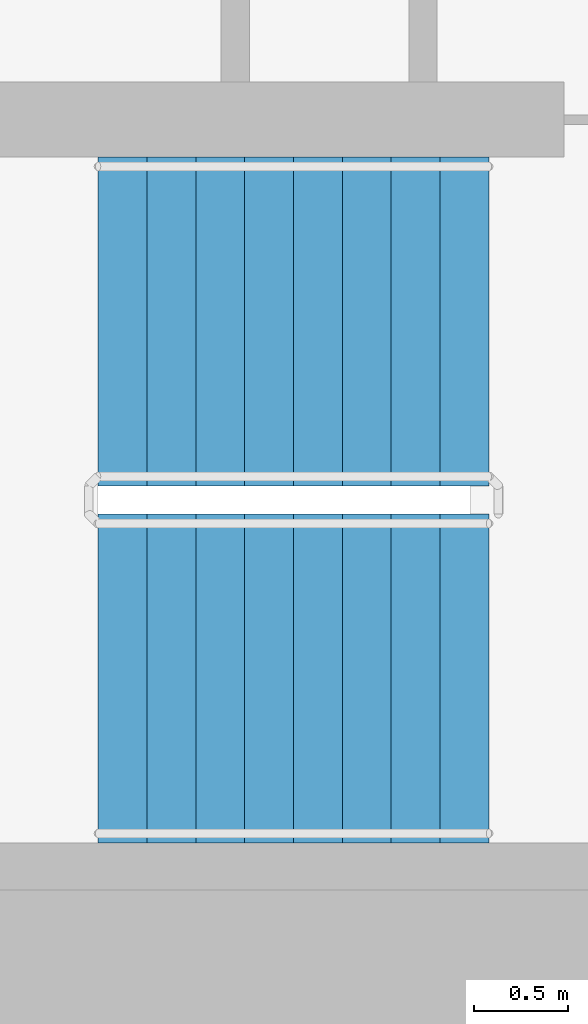
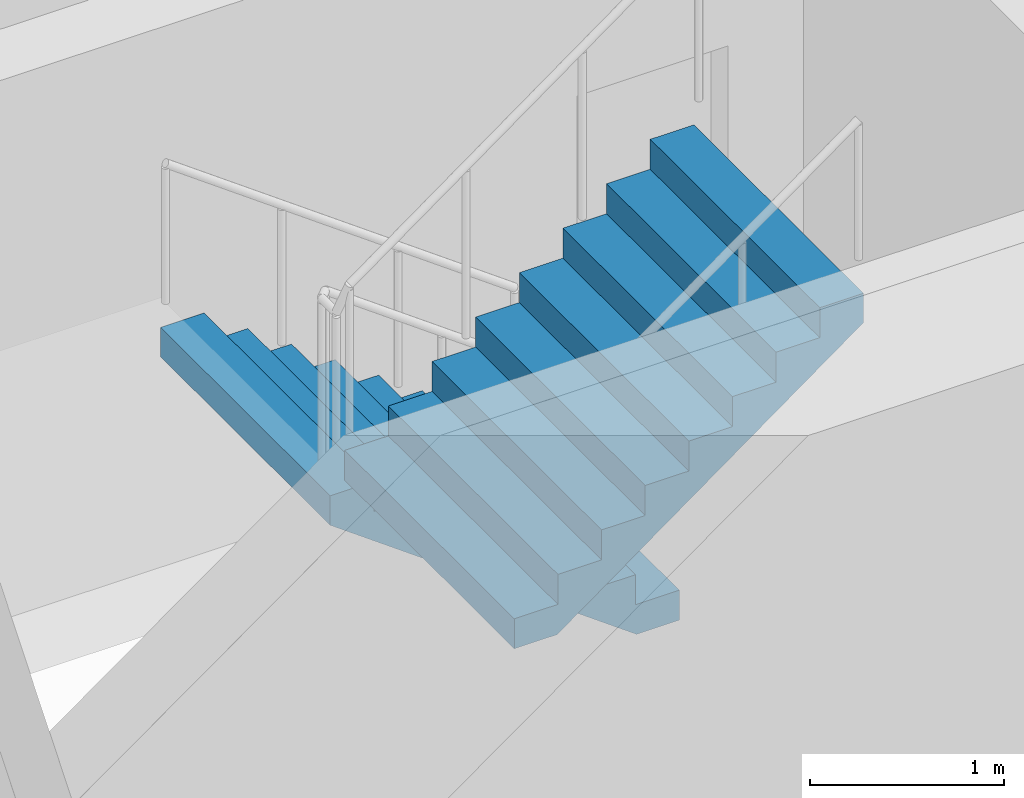
# One storey, part 16 of 22: 2 stair flights, 1 element without a shape of its own.
"""IFC4 building model written with IfcOpenShell, lengths in metres."""

from ifc_helpers import new_model, si_unit, direction, frame, origin, place, context, subcontext, project, spatial, faceted_brep, material, type_object, element, aggregate, save


model = new_model("IFC4")

# Units and contexts
model_context = context("Model", 3, precision=1e-05, world=origin(), true_north=direction((0.0, 1.0)))
body_context = subcontext(model_context, "Body", "Model", "MODEL_VIEW")
ifc_project = project(units=[si_unit("LENGTHUNIT", "METRE"), si_unit("AREAUNIT", "SQUARE_METRE"), si_unit("VOLUMEUNIT", "CUBIC_METRE"), si_unit("PLANEANGLEUNIT", "RADIAN"), si_unit("MASSUNIT", "GRAM", prefix="KILO")], contexts=[model_context])

# Site, building, storey
site_placement = place(None, origin())
site = spatial("IfcSite", under=ifc_project, at=site_placement, CompositionType="ELEMENT")
building_placement = place(site_placement, origin())
building = spatial("IfcBuilding", under=site, at=building_placement, Name="Ipe Terrace Towers", CompositionType="ELEMENT")
storey_placement = place(building_placement, frame((0.0, 0.0, 90.199951171875)))
storey = spatial("IfcBuildingStorey", under=building, at=storey_placement, Name="L24", CompositionType="ELEMENT", Elevation=90.199951171875)

# Stair, stair flights
ifc_material_1 = material(Name="Concrete C30/37", Category="concrete")
stair_type = type_object("IfcStairType", Name="Protected exit stair", PredefinedType="HALF_TURN_STAIR", material=ifc_material_1)
stair_placement = place(storey_placement, origin())
stair = element("IfcStair", 1, at=stair_placement, inside=storey, type_object=stair_type, Name="L24 Exit stair T1-C2", PredefinedType="HALF_TURN_STAIR")
ifc_material_2 = material(Name="Concrete C30/37", Category="concrete")
stair_flight_type = type_object("IfcStairFlightType", Name="Exit stair flight 1750", PredefinedType="STRAIGHT", material=ifc_material_2)
stair_flight_1_placement = place(storey_placement, frame((-45.699951171875, -2.77490234375, 0.0), z_axis=(0.0, 0.0, 1.0), x_axis=(-1.0, 0.0, 0.0)))
stair_flight_1 = element("IfcStairFlight", 2, at=stair_flight_1_placement, type_object=stair_flight_type, Name="T1-ST2 flight 1", NumberOfRisers=9, NumberOfTreads=8, PredefinedType="STRAIGHT", RiserHeight=0.188888889, TreadLength=0.26, context=body_context, shape_type="Brep", body=[
    faceted_brep([(0.255126953125, -0.875, 0.0), (2.080078125, -0.875, 1.325927734375), (2.080078125, -0.875, 1.51123046875), (1.820068359375, -0.875, 1.51123046875), (1.820068359375, -0.875, 1.322265625), (1.56005859375, -0.875, 1.322265625), (1.56005859375, -0.875, 1.13330078125), (1.300048828125, -0.875, 1.13330078125), (1.300048828125, -0.875, 0.9443359375), (1.0400390625, -0.875, 0.9443359375), (1.0400390625, -0.875, 0.755615234375), (0.780029296875, -0.875, 0.755615234375), (0.780029296875, -0.875, 0.566650390625), (0.52001953125, -0.875, 0.566650390625), (0.52001953125, -0.875, 0.377685546875), (0.260009765625, -0.875, 0.377685546875), (0.260009765625, -0.875, 0.18896484375), (0.0, -0.875, 0.18896484375), (0.0, -0.875, 0.0), (0.0, 0.875, 0.0), (0.0, 0.875, 0.18896484375), (0.260009765625, 0.875, 0.18896484375), (0.260009765625, 0.875, 0.377685546875), (0.52001953125, 0.875, 0.377685546875), (0.52001953125, 0.875, 0.566650390625), (0.780029296875, 0.875, 0.566650390625), (0.780029296875, 0.875, 0.755615234375), (1.0400390625, 0.875, 0.755615234375), (1.0400390625, 0.875, 0.9443359375), (1.300048828125, 0.875, 0.9443359375), (1.300048828125, 0.875, 1.13330078125), (1.56005859375, 0.875, 1.13330078125), (1.56005859375, 0.875, 1.322265625), (1.820068359375, 0.875, 1.322265625), (1.820068359375, 0.875, 1.51123046875), (2.080078125, 0.875, 1.51123046875), (2.080078125, 0.875, 1.325927734375), (0.255126953125, 0.875, 0.0), (0.0, -0.300048828125, 0.18896484375), (0.0, -0.1201171875, 0.18896484375), (0.0, -0.06005859375, 0.18896484375), (0.0, -0.030029296875, 0.18896484375), (0.0, -0.010009765625, 0.18896484375), (0.0, 0.0, 0.18896484375), (0.0, 0.010009765625, 0.18896484375), (0.0, 0.030029296875, 0.18896484375), (0.0, 0.06005859375, 0.18896484375), (0.0, 0.1201171875, 0.18896484375), (0.0, 0.300048828125, 0.18896484375), (0.0, 0.300048828125, 0.0), (0.0, 0.1201171875, 0.0), (0.0, 0.06005859375, 0.0), (0.0, 0.030029296875, 0.0), (0.0, 0.010009765625, 0.0), (0.0, 0.0, 0.0), (0.0, -0.010009765625, 0.0), (0.0, -0.030029296875, 0.0), (0.0, -0.06005859375, 0.0), (0.0, -0.1201171875, 0.0), (0.0, -0.300048828125, 0.0), (0.260009765625, -0.300048828125, 0.18896484375), (0.260009765625, -0.1201171875, 0.18896484375), (0.260009765625, -0.06005859375, 0.18896484375), (0.260009765625, -0.030029296875, 0.18896484375), (0.260009765625, -0.010009765625, 0.18896484375), (0.260009765625, 0.0, 0.18896484375), (0.260009765625, 0.010009765625, 0.18896484375), (0.260009765625, 0.030029296875, 0.18896484375), (0.260009765625, 0.06005859375, 0.18896484375), (0.260009765625, 0.1201171875, 0.18896484375), (0.260009765625, 0.300048828125, 0.18896484375), (0.260009765625, -0.300048828125, 0.377685546875), (0.260009765625, -0.1201171875, 0.377685546875), (0.260009765625, -0.06005859375, 0.377685546875), (0.260009765625, -0.030029296875, 0.377685546875), (0.260009765625, -0.010009765625, 0.377685546875), (0.260009765625, 0.0, 0.377685546875), (0.260009765625, 0.010009765625, 0.377685546875), (0.260009765625, 0.030029296875, 0.377685546875), (0.260009765625, 0.06005859375, 0.377685546875), (0.260009765625, 0.1201171875, 0.377685546875), (0.260009765625, 0.300048828125, 0.377685546875), (0.52001953125, -0.300048828125, 0.377685546875), (0.52001953125, -0.1201171875, 0.377685546875), (0.52001953125, -0.06005859375, 0.377685546875), (0.52001953125, -0.030029296875, 0.377685546875), (0.52001953125, -0.010009765625, 0.377685546875), (0.52001953125, 0.0, 0.377685546875), (0.52001953125, 0.010009765625, 0.377685546875), (0.52001953125, 0.030029296875, 0.377685546875), (0.52001953125, 0.06005859375, 0.377685546875), (0.52001953125, 0.1201171875, 0.377685546875), (0.52001953125, 0.300048828125, 0.377685546875), (0.52001953125, -0.300048828125, 0.566650390625), (0.52001953125, -0.1201171875, 0.566650390625), (0.52001953125, -0.06005859375, 0.566650390625), (0.52001953125, -0.030029296875, 0.566650390625), (0.52001953125, -0.010009765625, 0.566650390625), (0.52001953125, 0.0, 0.566650390625), (0.52001953125, 0.010009765625, 0.566650390625), (0.52001953125, 0.030029296875, 0.566650390625), (0.52001953125, 0.06005859375, 0.566650390625), (0.52001953125, 0.1201171875, 0.566650390625), (0.52001953125, 0.300048828125, 0.566650390625), (0.780029296875, -0.300048828125, 0.566650390625), (0.780029296875, -0.1201171875, 0.566650390625), (0.780029296875, -0.06005859375, 0.566650390625), (0.780029296875, -0.030029296875, 0.566650390625), (0.780029296875, -0.010009765625, 0.566650390625), (0.780029296875, 0.0, 0.566650390625), (0.780029296875, 0.010009765625, 0.566650390625), (0.780029296875, 0.030029296875, 0.566650390625), (0.780029296875, 0.06005859375, 0.566650390625), (0.780029296875, 0.1201171875, 0.566650390625), (0.780029296875, 0.300048828125, 0.566650390625), (0.780029296875, -0.300048828125, 0.755615234375), (0.780029296875, -0.1201171875, 0.755615234375), (0.780029296875, -0.06005859375, 0.755615234375), (0.780029296875, -0.030029296875, 0.755615234375), (0.780029296875, -0.010009765625, 0.755615234375), (0.780029296875, 0.0, 0.755615234375), (0.780029296875, 0.010009765625, 0.755615234375), (0.780029296875, 0.030029296875, 0.755615234375), (0.780029296875, 0.06005859375, 0.755615234375), (0.780029296875, 0.1201171875, 0.755615234375), (0.780029296875, 0.300048828125, 0.755615234375), (1.0400390625, -0.300048828125, 0.755615234375), (1.0400390625, -0.1201171875, 0.755615234375), (1.0400390625, -0.06005859375, 0.755615234375), (1.0400390625, -0.030029296875, 0.755615234375), (1.0400390625, -0.010009765625, 0.755615234375), (1.0400390625, 0.0, 0.755615234375), (1.0400390625, 0.010009765625, 0.755615234375), (1.0400390625, 0.030029296875, 0.755615234375), (1.0400390625, 0.06005859375, 0.755615234375), (1.0400390625, 0.1201171875, 0.755615234375), (1.0400390625, 0.300048828125, 0.755615234375), (1.0400390625, -0.300048828125, 0.9443359375), (1.0400390625, -0.1201171875, 0.9443359375), (1.0400390625, -0.06005859375, 0.9443359375), (1.0400390625, -0.030029296875, 0.9443359375), (1.0400390625, -0.010009765625, 0.9443359375), (1.0400390625, 0.0, 0.9443359375), (1.0400390625, 0.010009765625, 0.9443359375), (1.0400390625, 0.030029296875, 0.9443359375), (1.0400390625, 0.06005859375, 0.9443359375), (1.0400390625, 0.1201171875, 0.9443359375), (1.0400390625, 0.300048828125, 0.9443359375), (1.300048828125, -0.300048828125, 0.9443359375), (1.300048828125, -0.1201171875, 0.9443359375), (1.300048828125, -0.06005859375, 0.9443359375), (1.300048828125, -0.030029296875, 0.9443359375), (1.300048828125, -0.010009765625, 0.9443359375), (1.300048828125, 0.0, 0.9443359375), (1.300048828125, 0.010009765625, 0.9443359375), (1.300048828125, 0.030029296875, 0.9443359375), (1.300048828125, 0.06005859375, 0.9443359375), (1.300048828125, 0.1201171875, 0.9443359375), (1.300048828125, 0.300048828125, 0.9443359375), (1.300048828125, -0.300048828125, 1.13330078125), (1.300048828125, -0.1201171875, 1.13330078125), (1.300048828125, -0.06005859375, 1.13330078125), (1.300048828125, -0.030029296875, 1.13330078125), (1.300048828125, -0.010009765625, 1.13330078125), (1.300048828125, 0.0, 1.13330078125), (1.300048828125, 0.010009765625, 1.13330078125), (1.300048828125, 0.030029296875, 1.13330078125), (1.300048828125, 0.06005859375, 1.13330078125), (1.300048828125, 0.1201171875, 1.13330078125), (1.300048828125, 0.300048828125, 1.13330078125), (1.56005859375, -0.300048828125, 1.13330078125), (1.56005859375, -0.1201171875, 1.13330078125), (1.56005859375, -0.06005859375, 1.13330078125), (1.56005859375, -0.030029296875, 1.13330078125), (1.56005859375, -0.010009765625, 1.13330078125), (1.56005859375, 0.0, 1.13330078125), (1.56005859375, 0.010009765625, 1.13330078125), (1.56005859375, 0.030029296875, 1.13330078125), (1.56005859375, 0.06005859375, 1.13330078125), (1.56005859375, 0.1201171875, 1.13330078125), (1.56005859375, 0.300048828125, 1.13330078125), (1.56005859375, -0.300048828125, 1.322265625), (1.56005859375, -0.1201171875, 1.322265625), (1.56005859375, -0.06005859375, 1.322265625), (1.56005859375, -0.030029296875, 1.322265625), (1.56005859375, -0.010009765625, 1.322265625), (1.56005859375, 0.0, 1.322265625), (1.56005859375, 0.010009765625, 1.322265625), (1.56005859375, 0.030029296875, 1.322265625), (1.56005859375, 0.06005859375, 1.322265625), (1.56005859375, 0.1201171875, 1.322265625), (1.56005859375, 0.300048828125, 1.322265625), (1.820068359375, -0.300048828125, 1.322265625), (1.820068359375, -0.1201171875, 1.322265625), (1.820068359375, -0.06005859375, 1.322265625), (1.820068359375, -0.030029296875, 1.322265625), (1.820068359375, -0.010009765625, 1.322265625), (1.820068359375, 0.0, 1.322265625), (1.820068359375, 0.010009765625, 1.322265625), (1.820068359375, 0.030029296875, 1.322265625), (1.820068359375, 0.06005859375, 1.322265625), (1.820068359375, 0.1201171875, 1.322265625), (1.820068359375, 0.300048828125, 1.322265625), (1.820068359375, -0.300048828125, 1.51123046875), (1.820068359375, -0.1201171875, 1.51123046875), (1.820068359375, -0.06005859375, 1.51123046875), (1.820068359375, -0.030029296875, 1.51123046875), (1.820068359375, -0.010009765625, 1.51123046875), (1.820068359375, 0.0, 1.51123046875), (1.820068359375, 0.010009765625, 1.51123046875), (1.820068359375, 0.030029296875, 1.51123046875), (1.820068359375, 0.06005859375, 1.51123046875), (1.820068359375, 0.1201171875, 1.51123046875), (1.820068359375, 0.300048828125, 1.51123046875), (2.080078125, -0.300048828125, 1.51123046875), (2.080078125, -0.1201171875, 1.51123046875), (2.080078125, -0.06005859375, 1.51123046875), (2.080078125, -0.030029296875, 1.51123046875), (2.080078125, -0.010009765625, 1.51123046875), (2.080078125, 0.0, 1.51123046875), (2.080078125, 0.010009765625, 1.51123046875), (2.080078125, 0.030029296875, 1.51123046875), (2.080078125, 0.06005859375, 1.51123046875), (2.080078125, 0.1201171875, 1.51123046875), (2.080078125, 0.300048828125, 1.51123046875), (2.080078125, -0.300048828125, 1.325927734375), (2.080078125, -0.1201171875, 1.325927734375), (2.080078125, -0.06005859375, 1.325927734375), (2.080078125, -0.030029296875, 1.325927734375), (2.080078125, -0.010009765625, 1.325927734375), (2.080078125, 0.0, 1.325927734375), (2.080078125, 0.010009765625, 1.325927734375), (2.080078125, 0.030029296875, 1.325927734375), (2.080078125, 0.06005859375, 1.325927734375), (2.080078125, 0.1201171875, 1.325927734375), (2.080078125, 0.300048828125, 1.325927734375), (0.255126953125, -0.300048828125, 0.0), (0.255126953125, -0.1201171875, 0.0), (0.255126953125, -0.06005859375, 0.0), (0.255126953125, -0.030029296875, 0.0), (0.255126953125, -0.010009765625, 0.0), (0.255126953125, 0.0, 0.0), (0.255126953125, 0.010009765625, 0.0), (0.255126953125, 0.030029296875, 0.0), (0.255126953125, 0.06005859375, 0.0), (0.255126953125, 0.1201171875, 0.0), (0.255126953125, 0.300048828125, 0.0)], [[[0, 1, 2, 3, 4, 5, 6, 7, 8, 9, 10, 11, 12, 13, 14, 15, 16, 17, 18]], [[19, 20, 21, 22, 23, 24, 25, 26, 27, 28, 29, 30, 31, 32, 33, 34, 35, 36, 37]], [[17, 38, 39, 40, 41, 42, 43, 44, 45, 46, 47, 48, 20, 19, 49, 50, 51, 52, 53, 54, 55, 56, 57, 58, 59, 18]], [[16, 60, 61, 62, 63, 64, 65, 66, 67, 68, 69, 70, 21, 20, 48, 47, 46, 45, 44, 43, 42, 41, 40, 39, 38, 17]], [[15, 71, 72, 73, 74, 75, 76, 77, 78, 79, 80, 81, 22, 21, 70, 69, 68, 67, 66, 65, 64, 63, 62, 61, 60, 16]], [[14, 82, 83, 84, 85, 86, 87, 88, 89, 90, 91, 92, 23, 22, 81, 80, 79, 78, 77, 76, 75, 74, 73, 72, 71, 15]], [[13, 93, 94, 95, 96, 97, 98, 99, 100, 101, 102, 103, 24, 23, 92, 91, 90, 89, 88, 87, 86, 85, 84, 83, 82, 14]], [[12, 104, 105, 106, 107, 108, 109, 110, 111, 112, 113, 114, 25, 24, 103, 102, 101, 100, 99, 98, 97, 96, 95, 94, 93, 13]], [[11, 115, 116, 117, 118, 119, 120, 121, 122, 123, 124, 125, 26, 25, 114, 113, 112, 111, 110, 109, 108, 107, 106, 105, 104, 12]], [[10, 126, 127, 128, 129, 130, 131, 132, 133, 134, 135, 136, 27, 26, 125, 124, 123, 122, 121, 120, 119, 118, 117, 116, 115, 11]], [[9, 137, 138, 139, 140, 141, 142, 143, 144, 145, 146, 147, 28, 27, 136, 135, 134, 133, 132, 131, 130, 129, 128, 127, 126, 10]], [[8, 148, 149, 150, 151, 152, 153, 154, 155, 156, 157, 158, 29, 28, 147, 146, 145, 144, 143, 142, 141, 140, 139, 138, 137, 9]], [[7, 159, 160, 161, 162, 163, 164, 165, 166, 167, 168, 169, 30, 29, 158, 157, 156, 155, 154, 153, 152, 151, 150, 149, 148, 8]], [[6, 170, 171, 172, 173, 174, 175, 176, 177, 178, 179, 180, 31, 30, 169, 168, 167, 166, 165, 164, 163, 162, 161, 160, 159, 7]], [[5, 181, 182, 183, 184, 185, 186, 187, 188, 189, 190, 191, 32, 31, 180, 179, 178, 177, 176, 175, 174, 173, 172, 171, 170, 6]], [[4, 192, 193, 194, 195, 196, 197, 198, 199, 200, 201, 202, 33, 32, 191, 190, 189, 188, 187, 186, 185, 184, 183, 182, 181, 5]], [[3, 203, 204, 205, 206, 207, 208, 209, 210, 211, 212, 213, 34, 33, 202, 201, 200, 199, 198, 197, 196, 195, 194, 193, 192, 4]], [[2, 214, 215, 216, 217, 218, 219, 220, 221, 222, 223, 224, 35, 34, 213, 212, 211, 210, 209, 208, 207, 206, 205, 204, 203, 3]], [[1, 225, 226, 227, 228, 229, 230, 231, 232, 233, 234, 235, 36, 35, 224, 223, 222, 221, 220, 219, 218, 217, 216, 215, 214, 2]], [[0, 236, 237, 238, 239, 240, 241, 242, 243, 244, 245, 246, 37, 36, 235, 234, 233, 232, 231, 230, 229, 228, 227, 226, 225, 1]], [[18, 59, 58, 57, 56, 55, 54, 53, 52, 51, 50, 49, 19, 37, 246, 245, 244, 243, 242, 241, 240, 239, 238, 237, 236, 0]]]),
])
stair_flight_2_placement = place(storey_placement, frame((-47.780029296875, -4.675048828125, 1.699951171875), z_axis=(0.0, 0.0, 1.0), x_axis=(1.0, 0.0, 0.0)))
stair_flight_2 = element("IfcStairFlight", 3, at=stair_flight_2_placement, type_object=stair_flight_type, Name="T1-ST2 flight 2", NumberOfRisers=9, NumberOfTreads=8, PredefinedType="STRAIGHT", RiserHeight=0.188888889, TreadLength=0.26, context=body_context, shape_type="Brep", body=[
    faceted_brep([(0.255126953125, -0.875, 0.0), (2.080078125, -0.875, 1.325927734375), (2.080078125, -0.875, 1.51123046875), (1.820068359375, -0.875, 1.51123046875), (1.820068359375, -0.875, 1.322265625), (1.56005859375, -0.875, 1.322265625), (1.56005859375, -0.875, 1.13330078125), (1.300048828125, -0.875, 1.13330078125), (1.300048828125, -0.875, 0.9443359375), (1.0400390625, -0.875, 0.9443359375), (1.0400390625, -0.875, 0.755615234375), (0.780029296875, -0.875, 0.755615234375), (0.780029296875, -0.875, 0.566650390625), (0.52001953125, -0.875, 0.566650390625), (0.52001953125, -0.875, 0.377685546875), (0.260009765625, -0.875, 0.377685546875), (0.260009765625, -0.875, 0.18896484375), (0.0, -0.875, 0.18896484375), (0.0, -0.875, 0.0), (0.0, 0.875, 0.0), (0.0, 0.875, 0.18896484375), (0.260009765625, 0.875, 0.18896484375), (0.260009765625, 0.875, 0.377685546875), (0.52001953125, 0.875, 0.377685546875), (0.52001953125, 0.875, 0.566650390625), (0.780029296875, 0.875, 0.566650390625), (0.780029296875, 0.875, 0.755615234375), (1.0400390625, 0.875, 0.755615234375), (1.0400390625, 0.875, 0.9443359375), (1.300048828125, 0.875, 0.9443359375), (1.300048828125, 0.875, 1.13330078125), (1.56005859375, 0.875, 1.13330078125), (1.56005859375, 0.875, 1.322265625), (1.820068359375, 0.875, 1.322265625), (1.820068359375, 0.875, 1.51123046875), (2.080078125, 0.875, 1.51123046875), (2.080078125, 0.875, 1.325927734375), (0.255126953125, 0.875, 0.0), (0.0, -0.300048828125, 0.18896484375), (0.0, -0.1201171875, 0.18896484375), (0.0, -0.06005859375, 0.18896484375), (0.0, -0.030029296875, 0.18896484375), (0.0, -0.010009765625, 0.18896484375), (0.0, 0.0, 0.18896484375), (0.0, 0.010009765625, 0.18896484375), (0.0, 0.030029296875, 0.18896484375), (0.0, 0.06005859375, 0.18896484375), (0.0, 0.1201171875, 0.18896484375), (0.0, 0.300048828125, 0.18896484375), (0.0, 0.300048828125, 0.0), (0.0, 0.1201171875, 0.0), (0.0, 0.06005859375, 0.0), (0.0, 0.030029296875, 0.0), (0.0, 0.010009765625, 0.0), (0.0, 0.0, 0.0), (0.0, -0.010009765625, 0.0), (0.0, -0.030029296875, 0.0), (0.0, -0.06005859375, 0.0), (0.0, -0.1201171875, 0.0), (0.0, -0.300048828125, 0.0), (0.260009765625, -0.300048828125, 0.18896484375), (0.260009765625, -0.1201171875, 0.18896484375), (0.260009765625, -0.06005859375, 0.18896484375), (0.260009765625, -0.030029296875, 0.18896484375), (0.260009765625, -0.010009765625, 0.18896484375), (0.260009765625, 0.0, 0.18896484375), (0.260009765625, 0.010009765625, 0.18896484375), (0.260009765625, 0.030029296875, 0.18896484375), (0.260009765625, 0.06005859375, 0.18896484375), (0.260009765625, 0.1201171875, 0.18896484375), (0.260009765625, 0.300048828125, 0.18896484375), (0.260009765625, -0.300048828125, 0.377685546875), (0.260009765625, -0.1201171875, 0.377685546875), (0.260009765625, -0.06005859375, 0.377685546875), (0.260009765625, -0.030029296875, 0.377685546875), (0.260009765625, -0.010009765625, 0.377685546875), (0.260009765625, 0.0, 0.377685546875), (0.260009765625, 0.010009765625, 0.377685546875), (0.260009765625, 0.030029296875, 0.377685546875), (0.260009765625, 0.06005859375, 0.377685546875), (0.260009765625, 0.1201171875, 0.377685546875), (0.260009765625, 0.300048828125, 0.377685546875), (0.52001953125, -0.300048828125, 0.377685546875), (0.52001953125, -0.1201171875, 0.377685546875), (0.52001953125, -0.06005859375, 0.377685546875), (0.52001953125, -0.030029296875, 0.377685546875), (0.52001953125, -0.010009765625, 0.377685546875), (0.52001953125, 0.0, 0.377685546875), (0.52001953125, 0.010009765625, 0.377685546875), (0.52001953125, 0.030029296875, 0.377685546875), (0.52001953125, 0.06005859375, 0.377685546875), (0.52001953125, 0.1201171875, 0.377685546875), (0.52001953125, 0.300048828125, 0.377685546875), (0.52001953125, -0.300048828125, 0.566650390625), (0.52001953125, -0.1201171875, 0.566650390625), (0.52001953125, -0.06005859375, 0.566650390625), (0.52001953125, -0.030029296875, 0.566650390625), (0.52001953125, -0.010009765625, 0.566650390625), (0.52001953125, 0.0, 0.566650390625), (0.52001953125, 0.010009765625, 0.566650390625), (0.52001953125, 0.030029296875, 0.566650390625), (0.52001953125, 0.06005859375, 0.566650390625), (0.52001953125, 0.1201171875, 0.566650390625), (0.52001953125, 0.300048828125, 0.566650390625), (0.780029296875, -0.300048828125, 0.566650390625), (0.780029296875, -0.1201171875, 0.566650390625), (0.780029296875, -0.06005859375, 0.566650390625), (0.780029296875, -0.030029296875, 0.566650390625), (0.780029296875, -0.010009765625, 0.566650390625), (0.780029296875, 0.0, 0.566650390625), (0.780029296875, 0.010009765625, 0.566650390625), (0.780029296875, 0.030029296875, 0.566650390625), (0.780029296875, 0.06005859375, 0.566650390625), (0.780029296875, 0.1201171875, 0.566650390625), (0.780029296875, 0.300048828125, 0.566650390625), (0.780029296875, -0.300048828125, 0.755615234375), (0.780029296875, -0.1201171875, 0.755615234375), (0.780029296875, -0.06005859375, 0.755615234375), (0.780029296875, -0.030029296875, 0.755615234375), (0.780029296875, -0.010009765625, 0.755615234375), (0.780029296875, 0.0, 0.755615234375), (0.780029296875, 0.010009765625, 0.755615234375), (0.780029296875, 0.030029296875, 0.755615234375), (0.780029296875, 0.06005859375, 0.755615234375), (0.780029296875, 0.1201171875, 0.755615234375), (0.780029296875, 0.300048828125, 0.755615234375), (1.0400390625, -0.300048828125, 0.755615234375), (1.0400390625, -0.1201171875, 0.755615234375), (1.0400390625, -0.06005859375, 0.755615234375), (1.0400390625, -0.030029296875, 0.755615234375), (1.0400390625, -0.010009765625, 0.755615234375), (1.0400390625, 0.0, 0.755615234375), (1.0400390625, 0.010009765625, 0.755615234375), (1.0400390625, 0.030029296875, 0.755615234375), (1.0400390625, 0.06005859375, 0.755615234375), (1.0400390625, 0.1201171875, 0.755615234375), (1.0400390625, 0.300048828125, 0.755615234375), (1.0400390625, -0.300048828125, 0.9443359375), (1.0400390625, -0.1201171875, 0.9443359375), (1.0400390625, -0.06005859375, 0.9443359375), (1.0400390625, -0.030029296875, 0.9443359375), (1.0400390625, -0.010009765625, 0.9443359375), (1.0400390625, 0.0, 0.9443359375), (1.0400390625, 0.010009765625, 0.9443359375), (1.0400390625, 0.030029296875, 0.9443359375), (1.0400390625, 0.06005859375, 0.9443359375), (1.0400390625, 0.1201171875, 0.9443359375), (1.0400390625, 0.300048828125, 0.9443359375), (1.300048828125, -0.300048828125, 0.9443359375), (1.300048828125, -0.1201171875, 0.9443359375), (1.300048828125, -0.06005859375, 0.9443359375), (1.300048828125, -0.030029296875, 0.9443359375), (1.300048828125, -0.010009765625, 0.9443359375), (1.300048828125, 0.0, 0.9443359375), (1.300048828125, 0.010009765625, 0.9443359375), (1.300048828125, 0.030029296875, 0.9443359375), (1.300048828125, 0.06005859375, 0.9443359375), (1.300048828125, 0.1201171875, 0.9443359375), (1.300048828125, 0.300048828125, 0.9443359375), (1.300048828125, -0.300048828125, 1.13330078125), (1.300048828125, -0.1201171875, 1.13330078125), (1.300048828125, -0.06005859375, 1.13330078125), (1.300048828125, -0.030029296875, 1.13330078125), (1.300048828125, -0.010009765625, 1.13330078125), (1.300048828125, 0.0, 1.13330078125), (1.300048828125, 0.010009765625, 1.13330078125), (1.300048828125, 0.030029296875, 1.13330078125), (1.300048828125, 0.06005859375, 1.13330078125), (1.300048828125, 0.1201171875, 1.13330078125), (1.300048828125, 0.300048828125, 1.13330078125), (1.56005859375, -0.300048828125, 1.13330078125), (1.56005859375, -0.1201171875, 1.13330078125), (1.56005859375, -0.06005859375, 1.13330078125), (1.56005859375, -0.030029296875, 1.13330078125), (1.56005859375, -0.010009765625, 1.13330078125), (1.56005859375, 0.0, 1.13330078125), (1.56005859375, 0.010009765625, 1.13330078125), (1.56005859375, 0.030029296875, 1.13330078125), (1.56005859375, 0.06005859375, 1.13330078125), (1.56005859375, 0.1201171875, 1.13330078125), (1.56005859375, 0.300048828125, 1.13330078125), (1.56005859375, -0.300048828125, 1.322265625), (1.56005859375, -0.1201171875, 1.322265625), (1.56005859375, -0.06005859375, 1.322265625), (1.56005859375, -0.030029296875, 1.322265625), (1.56005859375, -0.010009765625, 1.322265625), (1.56005859375, 0.0, 1.322265625), (1.56005859375, 0.010009765625, 1.322265625), (1.56005859375, 0.030029296875, 1.322265625), (1.56005859375, 0.06005859375, 1.322265625), (1.56005859375, 0.1201171875, 1.322265625), (1.56005859375, 0.300048828125, 1.322265625), (1.820068359375, -0.300048828125, 1.322265625), (1.820068359375, -0.1201171875, 1.322265625), (1.820068359375, -0.06005859375, 1.322265625), (1.820068359375, -0.030029296875, 1.322265625), (1.820068359375, -0.010009765625, 1.322265625), (1.820068359375, 0.0, 1.322265625), (1.820068359375, 0.010009765625, 1.322265625), (1.820068359375, 0.030029296875, 1.322265625), (1.820068359375, 0.06005859375, 1.322265625), (1.820068359375, 0.1201171875, 1.322265625), (1.820068359375, 0.300048828125, 1.322265625), (1.820068359375, -0.300048828125, 1.51123046875), (1.820068359375, -0.1201171875, 1.51123046875), (1.820068359375, -0.06005859375, 1.51123046875), (1.820068359375, -0.030029296875, 1.51123046875), (1.820068359375, -0.010009765625, 1.51123046875), (1.820068359375, 0.0, 1.51123046875), (1.820068359375, 0.010009765625, 1.51123046875), (1.820068359375, 0.030029296875, 1.51123046875), (1.820068359375, 0.06005859375, 1.51123046875), (1.820068359375, 0.1201171875, 1.51123046875), (1.820068359375, 0.300048828125, 1.51123046875), (2.080078125, -0.300048828125, 1.51123046875), (2.080078125, -0.1201171875, 1.51123046875), (2.080078125, -0.06005859375, 1.51123046875), (2.080078125, -0.030029296875, 1.51123046875), (2.080078125, -0.010009765625, 1.51123046875), (2.080078125, 0.0, 1.51123046875), (2.080078125, 0.010009765625, 1.51123046875), (2.080078125, 0.030029296875, 1.51123046875), (2.080078125, 0.06005859375, 1.51123046875), (2.080078125, 0.1201171875, 1.51123046875), (2.080078125, 0.300048828125, 1.51123046875), (2.080078125, -0.300048828125, 1.325927734375), (2.080078125, -0.1201171875, 1.325927734375), (2.080078125, -0.06005859375, 1.325927734375), (2.080078125, -0.030029296875, 1.325927734375), (2.080078125, -0.010009765625, 1.325927734375), (2.080078125, 0.0, 1.325927734375), (2.080078125, 0.010009765625, 1.325927734375), (2.080078125, 0.030029296875, 1.325927734375), (2.080078125, 0.06005859375, 1.325927734375), (2.080078125, 0.1201171875, 1.325927734375), (2.080078125, 0.300048828125, 1.325927734375), (0.255126953125, -0.300048828125, 0.0), (0.255126953125, -0.1201171875, 0.0), (0.255126953125, -0.06005859375, 0.0), (0.255126953125, -0.030029296875, 0.0), (0.255126953125, -0.010009765625, 0.0), (0.255126953125, 0.0, 0.0), (0.255126953125, 0.010009765625, 0.0), (0.255126953125, 0.030029296875, 0.0), (0.255126953125, 0.06005859375, 0.0), (0.255126953125, 0.1201171875, 0.0), (0.255126953125, 0.300048828125, 0.0)], [[[0, 1, 2, 3, 4, 5, 6, 7, 8, 9, 10, 11, 12, 13, 14, 15, 16, 17, 18]], [[19, 20, 21, 22, 23, 24, 25, 26, 27, 28, 29, 30, 31, 32, 33, 34, 35, 36, 37]], [[17, 38, 39, 40, 41, 42, 43, 44, 45, 46, 47, 48, 20, 19, 49, 50, 51, 52, 53, 54, 55, 56, 57, 58, 59, 18]], [[16, 60, 61, 62, 63, 64, 65, 66, 67, 68, 69, 70, 21, 20, 48, 47, 46, 45, 44, 43, 42, 41, 40, 39, 38, 17]], [[15, 71, 72, 73, 74, 75, 76, 77, 78, 79, 80, 81, 22, 21, 70, 69, 68, 67, 66, 65, 64, 63, 62, 61, 60, 16]], [[14, 82, 83, 84, 85, 86, 87, 88, 89, 90, 91, 92, 23, 22, 81, 80, 79, 78, 77, 76, 75, 74, 73, 72, 71, 15]], [[13, 93, 94, 95, 96, 97, 98, 99, 100, 101, 102, 103, 24, 23, 92, 91, 90, 89, 88, 87, 86, 85, 84, 83, 82, 14]], [[12, 104, 105, 106, 107, 108, 109, 110, 111, 112, 113, 114, 25, 24, 103, 102, 101, 100, 99, 98, 97, 96, 95, 94, 93, 13]], [[11, 115, 116, 117, 118, 119, 120, 121, 122, 123, 124, 125, 26, 25, 114, 113, 112, 111, 110, 109, 108, 107, 106, 105, 104, 12]], [[10, 126, 127, 128, 129, 130, 131, 132, 133, 134, 135, 136, 27, 26, 125, 124, 123, 122, 121, 120, 119, 118, 117, 116, 115, 11]], [[9, 137, 138, 139, 140, 141, 142, 143, 144, 145, 146, 147, 28, 27, 136, 135, 134, 133, 132, 131, 130, 129, 128, 127, 126, 10]], [[8, 148, 149, 150, 151, 152, 153, 154, 155, 156, 157, 158, 29, 28, 147, 146, 145, 144, 143, 142, 141, 140, 139, 138, 137, 9]], [[7, 159, 160, 161, 162, 163, 164, 165, 166, 167, 168, 169, 30, 29, 158, 157, 156, 155, 154, 153, 152, 151, 150, 149, 148, 8]], [[6, 170, 171, 172, 173, 174, 175, 176, 177, 178, 179, 180, 31, 30, 169, 168, 167, 166, 165, 164, 163, 162, 161, 160, 159, 7]], [[5, 181, 182, 183, 184, 185, 186, 187, 188, 189, 190, 191, 32, 31, 180, 179, 178, 177, 176, 175, 174, 173, 172, 171, 170, 6]], [[4, 192, 193, 194, 195, 196, 197, 198, 199, 200, 201, 202, 33, 32, 191, 190, 189, 188, 187, 186, 185, 184, 183, 182, 181, 5]], [[3, 203, 204, 205, 206, 207, 208, 209, 210, 211, 212, 213, 34, 33, 202, 201, 200, 199, 198, 197, 196, 195, 194, 193, 192, 4]], [[2, 214, 215, 216, 217, 218, 219, 220, 221, 222, 223, 224, 35, 34, 213, 212, 211, 210, 209, 208, 207, 206, 205, 204, 203, 3]], [[1, 225, 226, 227, 228, 229, 230, 231, 232, 233, 234, 235, 36, 35, 224, 223, 222, 221, 220, 219, 218, 217, 216, 215, 214, 2]], [[0, 236, 237, 238, 239, 240, 241, 242, 243, 244, 245, 246, 37, 36, 235, 234, 233, 232, 231, 230, 229, 228, 227, 226, 225, 1]], [[18, 59, 58, 57, 56, 55, 54, 53, 52, 51, 50, 49, 19, 37, 246, 245, 244, 243, 242, 241, 240, 239, 238, 237, 236, 0]]]),
])
aggregate(stair, [stair_flight_1, stair_flight_2])

save(model, "model.ifc")
